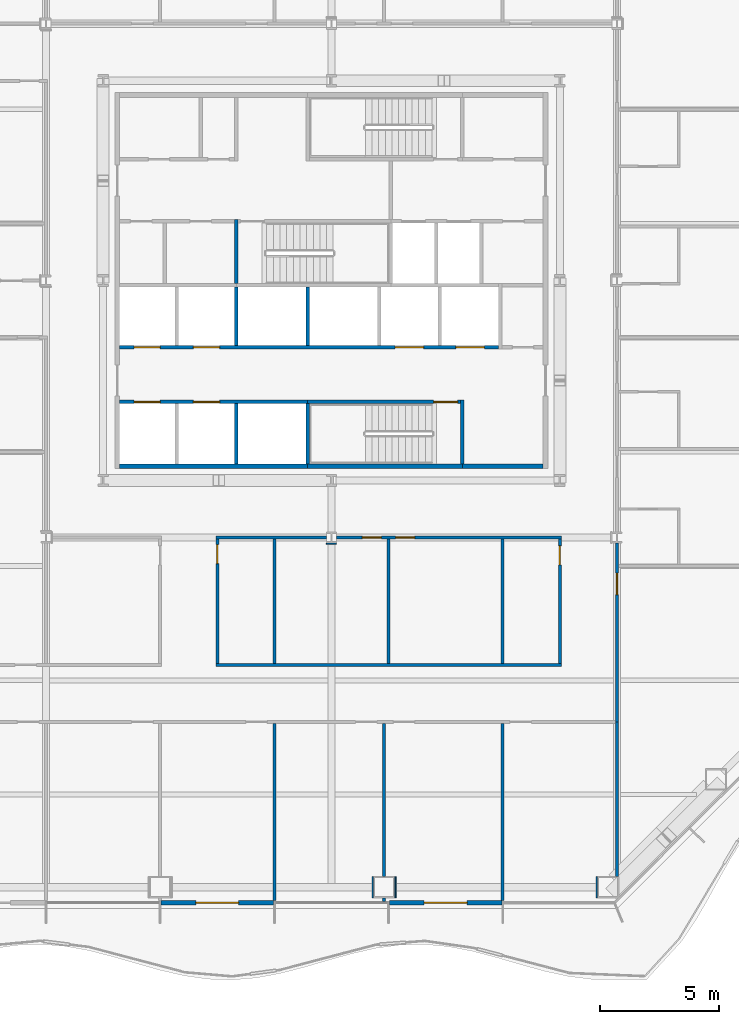
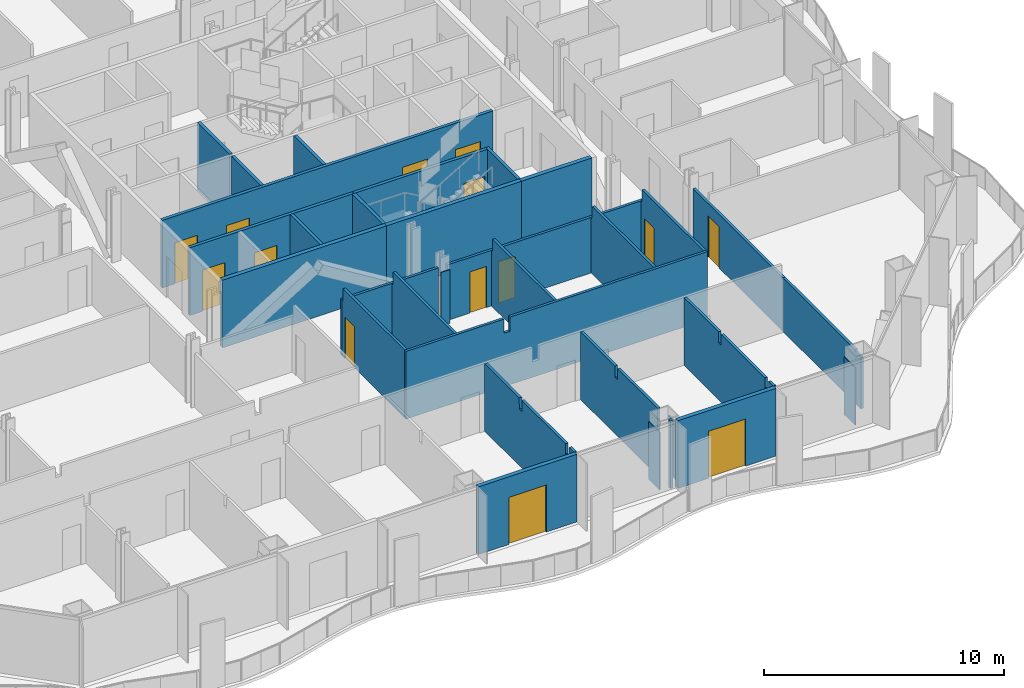
# One storey, part 9 of 21: 32 walls, 14 doors, 14 openings.
"""IFC4 building model written with IfcOpenShell, lengths in metres."""

from ifc_helpers import new_model, si_unit, direction, frame, frame_2d, origin, place, context, subcontext, project, spatial, polyline, rectangle, outline, extrude, material, layer, layer_set, type_object, element, fill, save


model = new_model("IFC4")

# Units and contexts
model_context = context("Model", 3, precision=1e-05, world=origin(), true_north=direction((0.0, 1.0)))
body_context = subcontext(model_context, "Body", "Model", "MODEL_VIEW")
ifc_project = project(units=[si_unit("LENGTHUNIT", "METRE"), si_unit("AREAUNIT", "SQUARE_METRE"), si_unit("VOLUMEUNIT", "CUBIC_METRE"), si_unit("PLANEANGLEUNIT", "RADIAN"), si_unit("MASSUNIT", "GRAM", prefix="KILO")], contexts=[model_context])

# Site, building, storey
site_placement = place(None, origin())
site = spatial("IfcSite", under=ifc_project, at=site_placement, CompositionType="ELEMENT")
building_placement = place(site_placement, origin())
building = spatial("IfcBuilding", under=site, at=building_placement, Name="Cairn Pilgrim Tower", CompositionType="ELEMENT")
storey_placement = place(building_placement, frame((0.0, 0.0, 69.0)))
storey = spatial("IfcBuildingStorey", under=building, at=storey_placement, Name="L15", CompositionType="ELEMENT", Elevation=69.0)

# Wall, opening, door
ifc_material_1 = material(Name="Bronze anodised aluminium insulated sandwich panel with mineral wool fill", Category="aluminium")
ifc_layer_1 = layer(ifc_material_1, 0.199951171875)
ifc_layer_set_1 = layer_set([ifc_layer_1], Name="BRONZE INFILL FRAME WALL 200")
wall_type_1 = type_object("IfcWallType", Name="BRONZE INFILL FRAME WALL 200", PredefinedType="NOTDEFINED", material=ifc_layer_set_1)
wall_1_placement = place(storey_placement, frame((0.030029296875, -23.75, 0.0), z_axis=(0.0, 0.0, 1.0), x_axis=(1.0, 0.0, 0.0)))
wall_1 = element("IfcWall", 1, at=wall_1_placement, inside=storey, type_object=wall_type_1, Name="Bronze infill frame wall IW-S5", PredefinedType="NOTDEFINED", context=body_context, shape_type="SweptSolid", body=[
    extrude(rectangle(XDim=4.739990234375, YDim=0.199951171875, at=frame_2d((2.3701171875, 0.0))), origin(), (0.0, 0.0, 1.0), 3.449951171875),
])
opening_1_placement = place(wall_1_placement, frame((1.469970703125, 0.0, 0.0)))
opening_1 = element("IfcOpeningElement", 2, at=opening_1_placement, cuts=wall_1, Name="Opening 1505B", PredefinedType="OPENING", context=body_context, shape_type="SweptSolid", body=[
    extrude(rectangle(XDim=1.800048828125, YDim=2.39990234375, at=frame_2d((0.89990234375, 1.199951171875))), frame((0.0, 0.10986328125, 0.0), z_axis=(0.0, -1.0, 0.0), x_axis=(1.0, 0.0, 0.0)), (0.0, 0.0, 1.0), 0.219970703125),
])
ifc_material_2 = material(Name="Bronze anodised aluminium frame with tinted low-E glass", Category="aluminium")
door_type_1 = type_object("IfcDoorType", Name="BALCONY SLIDING DOOR 1800x2400", OperationType="DOUBLE_DOOR_SLIDING", PredefinedType="DOOR", material=ifc_material_2)
door_1_placement = place(opening_1_placement, origin())
door_1 = element("IfcDoor", 3, at=door_1_placement, inside=storey, type_object=door_type_1, Name="Balcony sliding door 1505B", OperationType="SINGLE_SWING_LEFT", OverallHeight=2.39990234375, OverallWidth=1.800048828125, PredefinedType="DOOR", context=body_context, shape_type="SweptSolid", body=[
    extrude(rectangle(XDim=1.800048828125, YDim=2.39990234375, at=frame_2d((0.89990234375, 1.199951171875))), frame((0.0, 0.02490234375, 0.0), z_axis=(0.0, -1.0, 0.0), x_axis=(1.0, 0.0, 0.0)), (0.0, 0.0, 1.0), 0.050048828125),
])
fill(opening_1, door_1)

wall_2_placement = place(storey_placement, frame((9.6298828125, -23.75, 0.0), z_axis=(0.0, 0.0, 1.0), x_axis=(1.0, 0.0, 0.0)))
wall_2 = element("IfcWall", 4, at=wall_2_placement, inside=storey, type_object=wall_type_1, Name="Bronze infill frame wall IW-S7", PredefinedType="NOTDEFINED", context=body_context, shape_type="SweptSolid", body=[
    extrude(rectangle(XDim=4.740234375, YDim=0.199951171875, at=frame_2d((2.3701171875, 0.0))), origin(), (0.0, 0.0, 1.0), 3.449951171875),
])
opening_2_placement = place(wall_2_placement, frame((1.469970703125, 0.0, 0.0)))
opening_2 = element("IfcOpeningElement", 5, at=opening_2_placement, cuts=wall_2, Name="Opening 1507B", PredefinedType="OPENING", context=body_context, shape_type="SweptSolid", body=[
    extrude(rectangle(XDim=1.800048828125, YDim=2.39990234375, at=frame_2d((0.89990234375, 1.199951171875))), frame((0.0, 0.10986328125, 0.0), z_axis=(0.0, -1.0, 0.0), x_axis=(1.0, 0.0, 0.0)), (0.0, 0.0, 1.0), 0.219970703125),
])
door_2_placement = place(opening_2_placement, origin())
door_2 = element("IfcDoor", 6, at=door_2_placement, inside=storey, type_object=door_type_1, Name="Balcony sliding door 1507B", OperationType="SINGLE_SWING_LEFT", OverallHeight=2.39990234375, OverallWidth=1.800048828125, PredefinedType="DOOR", context=body_context, shape_type="SweptSolid", body=[
    extrude(rectangle(XDim=1.800048828125, YDim=2.39990234375, at=frame_2d((0.89990234375, 1.199951171875))), frame((0.0, 0.02490234375, 0.0), z_axis=(0.0, -1.0, 0.0), x_axis=(1.0, 0.0, 0.0)), (0.0, 0.0, 1.0), 0.050048828125),
])
fill(opening_2, door_2)

# Walls
ifc_material_3 = material(Name="Concrete C32/40", Category="concrete")
ifc_layer_2 = layer(ifc_material_3, 0.199951171875)
ifc_layer_set_2 = layer_set([ifc_layer_2], Name="CORE OUTER WALL 200 EI 120")
wall_type_2 = type_object("IfcWallType", Name="CORE OUTER WALL 200 EI 120", PredefinedType="SOLIDWALL", material=ifc_layer_set_2)
wall_3_placement = place(storey_placement, frame((-1.699951171875, -5.39990234375, 0.0), z_axis=(0.0, 0.0, 1.0), x_axis=(1.0, 0.0, 0.0)))
element("IfcWall", 7, at=wall_3_placement, inside=storey, type_object=wall_type_2, Name="CW:L15:H01-1", PredefinedType="SOLIDWALL", context=body_context, shape_type="SweptSolid", body=[
    extrude(rectangle(XDim=7.89990234375, YDim=0.199951171875, at=frame_2d((3.949951171875, 0.0))), origin(), (0.0, 0.0, 1.0), 3.449951171875),
])
wall_4_placement = place(storey_placement, frame((12.699951171875, -5.39990234375, 0.0), z_axis=(0.0, 0.0, 1.0), x_axis=(1.0, 0.0, 0.0)))
element("IfcWall", 8, at=wall_4_placement, inside=storey, type_object=wall_type_2, Name="CW:L15:H01-3", PredefinedType="SOLIDWALL", context=body_context, shape_type="SweptSolid", body=[
    extrude(rectangle(XDim=3.400146484375, YDim=0.199951171875, at=frame_2d((1.7001953125, 0.0))), origin(), (0.0, 0.0, 1.0), 3.449951171875),
])

# Wall, openings, doors
ifc_layer_3 = layer(ifc_material_3, 0.14990234375)
ifc_layer_set_3 = layer_set([ifc_layer_3], Name="CORE SHAFT WALL 150 EI 120")
wall_type_3 = type_object("IfcWallType", Name="CORE SHAFT WALL 150 EI 120", PredefinedType="SOLIDWALL", material=ifc_layer_set_3)
wall_5_placement = place(storey_placement, frame((-1.699951171875, -2.699951171875, 0.0), z_axis=(0.0, 0.0, 1.0), x_axis=(1.0, 0.0, 0.0)))
wall_5 = element("IfcWall", 9, at=wall_5_placement, inside=storey, type_object=wall_type_3, Name="CW:L15:H02-1", PredefinedType="SOLIDWALL", context=body_context, shape_type="SweptSolid", body=[
    extrude(rectangle(XDim=7.89990234375, YDim=0.14990234375, at=frame_2d((3.949951171875, 0.0))), origin(), (0.0, 0.0, 1.0), 3.449951171875),
])
opening_3_placement = place(wall_5_placement, frame((0.60009765625, 0.0, 0.0)))
opening_3 = element("IfcOpeningElement", 10, at=opening_3_placement, cuts=wall_5, Name="Opening LD-LR1", PredefinedType="OPENING", context=body_context, shape_type="SweptSolid", body=[
    extrude(rectangle(XDim=1.10009765625, YDim=2.10009765625, at=frame_2d((0.550048828125, 1.050048828125))), frame((0.0, 0.0849609375, 0.0), z_axis=(0.0, -1.0, 0.0), x_axis=(1.0, 0.0, 0.0)), (0.0, 0.0, 1.0), 0.169921875),
])
opening_4_placement = place(wall_5_placement, frame((3.10009765625, 0.0, 0.0)))
opening_4 = element("IfcOpeningElement", 11, at=opening_4_placement, cuts=wall_5, Name="Opening LD-LR2", PredefinedType="OPENING", context=body_context, shape_type="SweptSolid", body=[
    extrude(rectangle(XDim=1.10009765625, YDim=2.10009765625, at=frame_2d((0.550048828125, 1.050048828125))), frame((0.0, 0.0849609375, 0.0), z_axis=(0.0, -1.0, 0.0), x_axis=(1.0, 0.0, 0.0)), (0.0, 0.0, 1.0), 0.169921875),
])
ifc_material_4 = material(Name="Stainless steel", Category="steel")
door_type_2 = type_object("IfcDoorType", Name="LIFT LANDING DOOR 1100x2100", OperationType="DOUBLE_DOOR_SLIDING", PredefinedType="DOOR", material=ifc_material_4)
door_3_placement = place(opening_3_placement, origin())
door_3 = element("IfcDoor", 12, at=door_3_placement, inside=storey, type_object=door_type_2, Name="LANDING DOOR LR1", OperationType="DOUBLE_DOOR_SLIDING", OverallHeight=2.10009765625, OverallWidth=1.10009765625, PredefinedType="DOOR", context=body_context, shape_type="SweptSolid", body=[
    extrude(rectangle(XDim=1.10009765625, YDim=2.10009765625, at=frame_2d((0.550048828125, 1.050048828125))), frame((0.0, 0.02490234375, 0.0), z_axis=(0.0, -1.0, 0.0), x_axis=(1.0, 0.0, 0.0)), (0.0, 0.0, 1.0), 0.050048828125),
])
fill(opening_3, door_3)
door_4_placement = place(opening_4_placement, origin())
door_4 = element("IfcDoor", 13, at=door_4_placement, inside=storey, type_object=door_type_2, Name="LANDING DOOR LR2", OperationType="DOUBLE_DOOR_SLIDING", OverallHeight=2.10009765625, OverallWidth=1.10009765625, PredefinedType="DOOR", context=body_context, shape_type="SweptSolid", body=[
    extrude(rectangle(XDim=1.10009765625, YDim=2.10009765625, at=frame_2d((0.550048828125, 1.050048828125))), frame((0.0, 0.02490234375, 0.0), z_axis=(0.0, -1.0, 0.0), x_axis=(1.0, 0.0, 0.0)), (0.0, 0.0, 1.0), 0.050048828125),
])
fill(opening_4, door_4)

wall_6_placement = place(storey_placement, frame((-1.699951171875, -0.39990234375, 0.0), z_axis=(0.0, 0.0, 1.0), x_axis=(1.0, 0.0, 0.0)))
wall_6 = element("IfcWall", 14, at=wall_6_placement, inside=storey, type_object=wall_type_3, Name="CW:L15:H03", PredefinedType="SOLIDWALL", context=body_context, shape_type="SweptSolid", body=[
    extrude(rectangle(XDim=15.925048828125, YDim=0.14990234375, at=frame_2d((7.96240234375, 0.0))), origin(), (0.0, 0.0, 1.0), 3.449951171875),
])
opening_5_placement = place(wall_6_placement, frame((0.60009765625, 0.0, 0.0)))
opening_5 = element("IfcOpeningElement", 15, at=opening_5_placement, cuts=wall_6, Name="Opening LD-LR3", PredefinedType="OPENING", context=body_context, shape_type="SweptSolid", body=[
    extrude(rectangle(XDim=1.10009765625, YDim=2.10009765625, at=frame_2d((0.550048828125, 1.050048828125))), frame((0.0, 0.0849609375, 0.0), z_axis=(0.0, -1.0, 0.0), x_axis=(1.0, 0.0, 0.0)), (0.0, 0.0, 1.0), 0.169921875),
])
opening_6_placement = place(wall_6_placement, frame((3.10009765625, 0.0, 0.0)))
opening_6 = element("IfcOpeningElement", 16, at=opening_6_placement, cuts=wall_6, Name="Opening LD-LR4", PredefinedType="OPENING", context=body_context, shape_type="SweptSolid", body=[
    extrude(rectangle(XDim=1.10009765625, YDim=2.10009765625, at=frame_2d((0.550048828125, 1.050048828125))), frame((0.0, 0.0849609375, 0.0), z_axis=(0.0, -1.0, 0.0), x_axis=(1.0, 0.0, 0.0)), (0.0, 0.0, 1.0), 0.169921875),
])
opening_7_placement = place(wall_6_placement, frame((11.574951171875, 0.0, 0.0)))
opening_7 = element("IfcOpeningElement", 17, at=opening_7_placement, cuts=wall_6, Name="Opening LD-SV1", PredefinedType="OPENING", context=body_context, shape_type="SweptSolid", body=[
    extrude(rectangle(XDim=1.199951171875, YDim=2.10009765625, at=frame_2d((0.60009765625, 1.050048828125))), frame((0.0, 0.0849609375, 0.0), z_axis=(0.0, -1.0, 0.0), x_axis=(1.0, 0.0, 0.0)), (0.0, 0.0, 1.0), 0.169921875),
])
opening_8_placement = place(wall_6_placement, frame((14.125, 0.0, 0.0)))
opening_8 = element("IfcOpeningElement", 18, at=opening_8_placement, cuts=wall_6, Name="Opening LD-SV2", PredefinedType="OPENING", context=body_context, shape_type="SweptSolid", body=[
    extrude(rectangle(XDim=1.199951171875, YDim=2.10009765625, at=frame_2d((0.60009765625, 1.050048828125))), frame((0.0, 0.0849609375, 0.0), z_axis=(0.0, -1.0, 0.0), x_axis=(1.0, 0.0, 0.0)), (0.0, 0.0, 1.0), 0.169921875),
])
door_5_placement = place(opening_5_placement, origin())
door_5 = element("IfcDoor", 19, at=door_5_placement, inside=storey, type_object=door_type_2, Name="LANDING DOOR LR3", OperationType="DOUBLE_DOOR_SLIDING", OverallHeight=2.10009765625, OverallWidth=1.10009765625, PredefinedType="DOOR", context=body_context, shape_type="SweptSolid", body=[
    extrude(rectangle(XDim=1.10009765625, YDim=2.10009765625, at=frame_2d((0.550048828125, 1.050048828125))), frame((0.0, 0.02490234375, 0.0), z_axis=(0.0, -1.0, 0.0), x_axis=(1.0, 0.0, 0.0)), (0.0, 0.0, 1.0), 0.050048828125),
])
fill(opening_5, door_5)
door_6_placement = place(opening_6_placement, origin())
door_6 = element("IfcDoor", 20, at=door_6_placement, inside=storey, type_object=door_type_2, Name="LANDING DOOR LR4", OperationType="DOUBLE_DOOR_SLIDING", OverallHeight=2.10009765625, OverallWidth=1.10009765625, PredefinedType="DOOR", context=body_context, shape_type="SweptSolid", body=[
    extrude(rectangle(XDim=1.10009765625, YDim=2.10009765625, at=frame_2d((0.550048828125, 1.050048828125))), frame((0.0, 0.02490234375, 0.0), z_axis=(0.0, -1.0, 0.0), x_axis=(1.0, 0.0, 0.0)), (0.0, 0.0, 1.0), 0.050048828125),
])
fill(opening_6, door_6)
door_type_3 = type_object("IfcDoorType", Name="LIFT LANDING DOOR 1200x2100", OperationType="DOUBLE_DOOR_SLIDING", PredefinedType="DOOR", material=ifc_material_4)
door_7_placement = place(opening_7_placement, origin())
door_7 = element("IfcDoor", 21, at=door_7_placement, inside=storey, type_object=door_type_3, Name="LANDING DOOR SV1", OperationType="DOUBLE_DOOR_SLIDING", OverallHeight=2.10009765625, OverallWidth=1.199951171875, PredefinedType="DOOR", context=body_context, shape_type="SweptSolid", body=[
    extrude(rectangle(XDim=1.199951171875, YDim=2.10009765625, at=frame_2d((0.60009765625, 1.050048828125))), frame((0.0, 0.02490234375, 0.0), z_axis=(0.0, -1.0, 0.0), x_axis=(1.0, 0.0, 0.0)), (0.0, 0.0, 1.0), 0.050048828125),
])
fill(opening_7, door_7)
door_8_placement = place(opening_8_placement, origin())
door_8 = element("IfcDoor", 22, at=door_8_placement, inside=storey, type_object=door_type_3, Name="LANDING DOOR SV2", OperationType="DOUBLE_DOOR_SLIDING", OverallHeight=2.10009765625, OverallWidth=1.199951171875, PredefinedType="DOOR", context=body_context, shape_type="SweptSolid", body=[
    extrude(rectangle(XDim=1.199951171875, YDim=2.10009765625, at=frame_2d((0.60009765625, 1.050048828125))), frame((0.0, 0.02490234375, 0.0), z_axis=(0.0, -1.0, 0.0), x_axis=(1.0, 0.0, 0.0)), (0.0, 0.0, 1.0), 0.050048828125),
])
fill(opening_8, door_8)

# Walls
wall_7_placement = place(storey_placement, frame((3.199951171875, -5.300048828125, 0.0), z_axis=(0.0, 0.0, 1.0), x_axis=(0.0, 1.0, 0.0)))
element("IfcWall", 23, at=wall_7_placement, inside=storey, type_object=wall_type_3, Name="CW:L15:V17", PredefinedType="SOLIDWALL", context=body_context, shape_type="SweptSolid", body=[
    extrude(rectangle(XDim=2.525146484375, YDim=0.14990234375, at=frame_2d((1.2626953125, 0.0))), origin(), (0.0, 0.0, 1.0), 3.449951171875),
])
for number, where, z_axis, x_axis, name in (
    (24, (3.199951171875, -0.324951171875, 0.0), (0.0, 0.0, 1.0), (0.0, 1.0, 0.0), "CW:L15:V18"),
    (25, (6.199951171875, -0.324951171875, 0.0), (0.0, 0.0, 1.0), (0.0, 1.0, 0.0), "CW:L15:V22"),
):
    element("IfcWall", number, at=place(storey_placement, frame(where, z_axis=z_axis, x_axis=x_axis)), inside=storey, type_object=wall_type_3, Name=name, PredefinedType="SOLIDWALL", context=body_context, shape_type="SweptSolid", body=[
        extrude(rectangle(XDim=2.449951171875, YDim=0.14990234375, at=frame_2d((1.22509765625, 0.0))), origin(), (0.0, 0.0, 1.0), 3.449951171875),
    ])
ifc_material_5 = material(Name="Gypsum partition")
ifc_layer_4 = layer(ifc_material_5, 0.125)
ifc_layer_set_4 = layer_set([ifc_layer_4], Name="PARTITION 125 DRYWALL EI 60")
wall_type_4 = type_object("IfcWallType", Name="PARTITION 125 DRYWALL EI 60", PredefinedType="PARTITIONING", material=ifc_layer_set_4)
wall_8_placement = place(storey_placement, frame((4.800048828125, -23.64990234375, 0.0), z_axis=(0.0, 0.0, 1.0), x_axis=(0.0, 1.0, 0.0)))
element("IfcWall", 26, at=wall_8_placement, inside=storey, type_object=wall_type_4, Name="PARTITION W004", PredefinedType="PARTITIONING", context=body_context, shape_type="SweptSolid", body=[
    extrude(outline(polyline([(0.0, 0.0), (7.4375, 0.0), (7.4375, 3.449951171875), (4.554931640625, 3.449951171875), (4.552978515625, 2.8798828125), (4.344970703125, 2.8798828125), (4.343017578125, 3.449951171875), (0.699951171875, 3.449951171875), (0.697998046875, 2.929931640625), (0.39990234375, 2.929931640625), (0.39794921875, 3.449951171875), (0.0, 3.449951171875), (0.0, 0.0)])), frame((0.0, 0.0625, 0.0), z_axis=(0.0, -1.0, 0.0), x_axis=(1.0, 0.0, 0.0)), (0.0, 0.0, 1.0), 0.125),
])
wall_9_placement = place(storey_placement, frame((9.4140625, -23.702880859375, 0.0), z_axis=(0.0, 0.0, 1.0), x_axis=(0.0, 1.0, 0.0)))
element("IfcWall", 27, at=wall_9_placement, inside=storey, type_object=wall_type_4, Name="PARTITION W005", PredefinedType="PARTITIONING", context=body_context, shape_type="SweptSolid", body=[
    extrude(rectangle(XDim=0.15283203125, YDim=0.125, at=frame_2d((0.076416015625, 0.0))), origin(), (0.0, 0.0, 1.0), 3.449951171875),
])
wall_10_placement = place(storey_placement, frame((14.39990234375, -23.64990234375, 0.0), z_axis=(0.0, 0.0, 1.0), x_axis=(0.0, 1.0, 0.0)))
element("IfcWall", 28, at=wall_10_placement, inside=storey, type_object=wall_type_4, Name="PARTITION W006", PredefinedType="PARTITIONING", context=body_context, shape_type="SweptSolid", body=[
    extrude(outline(polyline([(0.0, 0.0), (7.4375, 0.0), (7.4375, 3.449951171875), (4.554931640625, 3.449951171875), (4.552978515625, 2.8798828125), (4.344970703125, 2.8798828125), (4.343017578125, 3.449951171875), (0.699951171875, 3.449951171875), (0.697998046875, 2.929931640625), (0.39990234375, 2.929931640625), (0.39794921875, 3.449951171875), (0.0, 3.449951171875), (0.0, 0.0)])), frame((0.0, 0.0625, 0.0), z_axis=(0.0, -1.0, 0.0), x_axis=(1.0, 0.0, 0.0)), (0.0, 0.0, 1.0), 0.125),
])
wall_11_placement = place(storey_placement, frame((9.4140625, -22.64990234375, 0.0), z_axis=(0.0, 0.0, 1.0), x_axis=(0.0, 1.0, 0.0)))
element("IfcWall", 29, at=wall_11_placement, inside=storey, type_object=wall_type_4, Name="PARTITION W009", PredefinedType="PARTITIONING", context=body_context, shape_type="SweptSolid", body=[
    extrude(outline(polyline([(0.0, 0.0), (6.4375, 0.0), (6.4375, 3.449951171875), (3.554931640625, 3.449951171875), (3.552978515625, 2.8798828125), (3.344970703125, 2.8798828125), (3.343017578125, 3.449951171875), (0.0, 3.449951171875), (0.0, 0.0)])), frame((0.0, 0.0625, 0.0), z_axis=(0.0, -1.0, 0.0), x_axis=(1.0, 0.0, 0.0)), (0.0, 0.0, 1.0), 0.125),
])
wall_12_placement = place(storey_placement, frame((19.199951171875, -22.64990234375, 0.0), z_axis=(0.0, 0.0, 1.0), x_axis=(0.0, 1.0, 0.0)))
element("IfcWall", 30, at=wall_12_placement, inside=storey, type_object=wall_type_4, Name="PARTITION W010", PredefinedType="PARTITIONING", context=body_context, shape_type="SweptSolid", body=[
    extrude(outline(polyline([(0.0, 0.0), (6.5, 0.0), (6.5, 2.72998046875), (0.480224609375, 2.72998046875), (0.478271484375, 2.6298828125), (0.0, 2.6298828125), (0.0, 0.0)])), frame((0.0, 0.0625, 0.0), z_axis=(0.0, -1.0, 0.0), x_axis=(1.0, 0.0, 0.0)), (0.0, 0.0, 1.0), 0.125),
])

# Wall, opening, door
wall_13_placement = place(storey_placement, frame((19.199951171875, -16.14990234375, 0.0), z_axis=(0.0, 0.0, 1.0), x_axis=(0.0, 1.0, 0.0)))
wall_13 = element("IfcWall", 31, at=wall_13_placement, inside=storey, type_object=wall_type_4, Name="PARTITION W015", PredefinedType="PARTITIONING", context=body_context, shape_type="SweptSolid", body=[
    extrude(rectangle(XDim=7.512939453125, YDim=0.125, at=frame_2d((3.75634765625, 0.0))), origin(), (0.0, 0.0, 1.0), 2.72998046875),
])
opening_9_placement = place(wall_13_placement, frame((5.35009765625, 0.0, 0.0)))
opening_9 = element("IfcOpeningElement", 32, at=opening_9_placement, cuts=wall_13, Name="Opening 1523", PredefinedType="OPENING", context=body_context, shape_type="SweptSolid", body=[
    extrude(rectangle(XDim=0.89990234375, YDim=2.10009765625, at=frame_2d((0.449951171875, 1.050048828125))), frame((0.0, 0.072509765625, 0.0), z_axis=(0.0, -1.0, 0.0), x_axis=(1.0, 0.0, 0.0)), (0.0, 0.0, 1.0), 0.14501953125),
])
ifc_material_6 = material(Name="Steel-faced fire door leaf", Category="steel")
door_type_4 = type_object("IfcDoorType", Name="FIRE DOOR 900x2100 FD30S", OperationType="NOTDEFINED", PredefinedType="DOOR", material=ifc_material_6)
door_9_placement = place(opening_9_placement, frame((0.89990234375, 0.0, 0.0), z_axis=(0.0, 0.0, 1.0), x_axis=(-1.0, 0.0, 0.0)))
door_9 = element("IfcDoor", 33, at=door_9_placement, inside=storey, type_object=door_type_4, Name="DOOR 1523", OperationType="SINGLE_SWING_RIGHT", OverallHeight=2.10009765625, OverallWidth=0.89990234375, PredefinedType="DOOR", context=body_context, shape_type="SweptSolid", body=[
    extrude(rectangle(XDim=0.89990234375, YDim=2.10009765625, at=frame_2d((0.449951171875, 1.050048828125))), frame((0.0, 0.02490234375, 0.0), z_axis=(0.0, -1.0, 0.0), x_axis=(1.0, 0.0, 0.0)), (0.0, 0.0, 1.0), 0.050048828125),
])
fill(opening_9, door_9)

# Wall
wall_14_placement = place(storey_placement, frame((2.33740234375, -13.75, 0.0), z_axis=(0.0, 0.0, 1.0), x_axis=(1.0, 0.0, 0.0)))
element("IfcWall", 34, at=wall_14_placement, inside=storey, type_object=wall_type_4, Name="PARTITION W017", PredefinedType="PARTITIONING", context=body_context, shape_type="SweptSolid", body=[
    extrude(outline(polyline([(0.0, 0.0), (14.525146484375, 0.0), (14.52490234375, 3.449951171875), (5.012451171875, 3.449951171875), (5.010498046875, 2.72998046875), (4.71240234375, 2.72998046875), (4.71044921875, 3.449951171875), (0.0, 3.449951171875), (0.0, 0.0)])), frame((0.0, 0.0625, 0.0), z_axis=(0.0, -1.0, 0.0), x_axis=(1.0, 0.0, 0.0)), (0.0, 0.0, 1.0), 0.125),
])

# Wall, opening, door
wall_15_placement = place(storey_placement, frame((2.39990234375, -13.6875, 0.0), z_axis=(0.0, 0.0, 1.0), x_axis=(0.0, 1.0, 0.0)))
wall_15 = element("IfcWall", 35, at=wall_15_placement, inside=storey, type_object=wall_type_4, Name="PARTITION W022", PredefinedType="PARTITIONING", context=body_context, shape_type="SweptSolid", body=[
    extrude(outline(polyline([(0.0, 0.0), (5.22509765625, 0.0), (5.22509765625, 2.830078125), (5.137451171875, 2.830078125), (5.135498046875, 3.449951171875), (0.0, 3.449951171875), (0.0, 0.0)])), frame((0.0, 0.0625, 0.0), z_axis=(0.0, -1.0, 0.0), x_axis=(1.0, 0.0, 0.0)), (0.0, 0.0, 1.0), 0.125),
])
opening_10_placement = place(wall_15_placement, frame((4.1875, 0.0, 0.0)))
opening_10 = element("IfcOpeningElement", 36, at=opening_10_placement, cuts=wall_15, Name="Opening 1536", PredefinedType="OPENING", context=body_context, shape_type="SweptSolid", body=[
    extrude(rectangle(XDim=0.800048828125, YDim=2.10009765625, at=frame_2d((0.39990234375, 1.050048828125))), frame((0.0, 0.072509765625, 0.0), z_axis=(0.0, -1.0, 0.0), x_axis=(1.0, 0.0, 0.0)), (0.0, 0.0, 1.0), 0.14501953125),
])
door_type_5 = type_object("IfcDoorType", Name="FIRE DOOR 800x2100 FD30S", OperationType="NOTDEFINED", PredefinedType="DOOR", material=ifc_material_6)
door_10_placement = place(opening_10_placement, frame((0.800048828125, 0.0, 0.0), z_axis=(0.0, 0.0, 1.0), x_axis=(-1.0, 0.0, 0.0)))
door_10 = element("IfcDoor", 37, at=door_10_placement, inside=storey, type_object=door_type_5, Name="DOOR 1536", OperationType="SINGLE_SWING_LEFT", OverallHeight=2.10009765625, OverallWidth=0.800048828125, PredefinedType="DOOR", context=body_context, shape_type="SweptSolid", body=[
    extrude(rectangle(XDim=0.800048828125, YDim=2.10009765625, at=frame_2d((0.39990234375, 1.050048828125))), frame((0.0, 0.02490234375, 0.0), z_axis=(0.0, -1.0, 0.0), x_axis=(1.0, 0.0, 0.0)), (0.0, 0.0, 1.0), 0.050048828125),
])
fill(opening_10, door_10)

# Walls
for number, where, z_axis, x_axis, name in (
    (38, (4.800048828125, -13.6875, 0.0), (0.0, 0.0, 1.0), (0.0, 1.0, 0.0), "PARTITION W023"),
    (39, (9.60009765625, -13.6875, 0.0), (0.0, 0.0, 1.0), (0.0, 1.0, 0.0), "PARTITION W024"),
    (40, (14.39990234375, -13.6875, 0.0), (0.0, 0.0, 1.0), (0.0, 1.0, 0.0), "PARTITION W025"),
):
    element("IfcWall", number, at=place(storey_placement, frame(where, z_axis=z_axis, x_axis=x_axis)), inside=storey, type_object=wall_type_4, Name=name, PredefinedType="PARTITIONING", context=body_context, shape_type="SweptSolid", body=[
        extrude(outline(polyline([(0.0, 0.0), (5.22509765625, 0.0), (5.22509765625, 2.830078125), (5.137451171875, 2.830078125), (5.135498046875, 3.449951171875), (0.0, 3.449951171875), (0.0, 0.0)])), frame((0.0, 0.0625, 0.0), z_axis=(0.0, -1.0, 0.0), x_axis=(1.0, 0.0, 0.0)), (0.0, 0.0, 1.0), 0.125),
    ])

# Wall, opening, door
wall_16_placement = place(storey_placement, frame((16.800048828125, -13.6875, 0.0), z_axis=(0.0, 0.0, 1.0), x_axis=(0.0, 1.0, 0.0)))
wall_16 = element("IfcWall", 41, at=wall_16_placement, inside=storey, type_object=wall_type_4, Name="PARTITION W026", PredefinedType="PARTITIONING", context=body_context, shape_type="SweptSolid", body=[
    extrude(outline(polyline([(0.0, 0.0), (5.22509765625, 0.0), (5.22509765625, 2.830078125), (5.137451171875, 2.830078125), (5.135498046875, 3.449951171875), (0.0, 3.449951171875), (0.0, 0.0)])), frame((0.0, 0.0625, 0.0), z_axis=(0.0, -1.0, 0.0), x_axis=(1.0, 0.0, 0.0)), (0.0, 0.0, 1.0), 0.125),
])
opening_11_placement = place(wall_16_placement, frame((4.137451171875, 0.0, 0.0)))
opening_11 = element("IfcOpeningElement", 42, at=opening_11_placement, cuts=wall_16, Name="Opening 1539", PredefinedType="OPENING", context=body_context, shape_type="SweptSolid", body=[
    extrude(rectangle(XDim=0.800048828125, YDim=2.10009765625, at=frame_2d((0.39990234375, 1.050048828125))), frame((0.0, 0.072509765625, 0.0), z_axis=(0.0, -1.0, 0.0), x_axis=(1.0, 0.0, 0.0)), (0.0, 0.0, 1.0), 0.14501953125),
])
door_11_placement = place(opening_11_placement, origin())
door_11 = element("IfcDoor", 43, at=door_11_placement, inside=storey, type_object=door_type_5, Name="DOOR 1539", OperationType="SINGLE_SWING_RIGHT", OverallHeight=2.10009765625, OverallWidth=0.800048828125, PredefinedType="DOOR", context=body_context, shape_type="SweptSolid", body=[
    extrude(rectangle(XDim=0.800048828125, YDim=2.10009765625, at=frame_2d((0.39990234375, 1.050048828125))), frame((0.0, 0.02490234375, 0.0), z_axis=(0.0, -1.0, 0.0), x_axis=(1.0, 0.0, 0.0)), (0.0, 0.0, 1.0), 0.050048828125),
])
fill(opening_11, door_11)

# Wall
wall_17_placement = place(storey_placement, frame((2.33740234375, -8.39990234375, 0.0), z_axis=(0.0, 0.0, 1.0), x_axis=(1.0, 0.0, 0.0)))
element("IfcWall", 44, at=wall_17_placement, inside=storey, type_object=wall_type_4, Name="PARTITION W031", PredefinedType="PARTITIONING", context=body_context, shape_type="SweptSolid", body=[
    extrude(rectangle(XDim=4.650634765625, YDim=0.125, at=frame_2d((2.3251953125, 0.0))), origin(), (0.0, 0.0, 1.0), 2.830078125),
])

# Wall, openings, doors
wall_18_placement = place(storey_placement, frame((7.412109375, -8.39990234375, 0.0), z_axis=(0.0, 0.0, 1.0), x_axis=(1.0, 0.0, 0.0)))
wall_18 = element("IfcWall", 45, at=wall_18_placement, inside=storey, type_object=wall_type_4, Name="PARTITION W032", PredefinedType="PARTITIONING", context=body_context, shape_type="SweptSolid", body=[
    extrude(rectangle(XDim=9.450439453125, YDim=0.125, at=frame_2d((4.72509765625, 0.0))), origin(), (0.0, 0.0, 1.0), 2.830078125),
])
opening_12_placement = place(wall_18_placement, frame((1.087890625, 0.0, 0.0)))
opening_12 = element("IfcOpeningElement", 46, at=opening_12_placement, cuts=wall_18, Name="Opening 1537", PredefinedType="OPENING", context=body_context, shape_type="SweptSolid", body=[
    extrude(rectangle(XDim=0.800048828125, YDim=2.10009765625, at=frame_2d((0.39990234375, 1.050048828125))), frame((0.0, 0.072509765625, 0.0), z_axis=(0.0, -1.0, 0.0), x_axis=(1.0, 0.0, 0.0)), (0.0, 0.0, 1.0), 0.14501953125),
])
opening_13_placement = place(wall_18_placement, frame((2.488037109375, 0.0, 0.0)))
opening_13 = element("IfcOpeningElement", 47, at=opening_13_placement, cuts=wall_18, Name="Opening 1538", PredefinedType="OPENING", context=body_context, shape_type="SweptSolid", body=[
    extrude(rectangle(XDim=0.800048828125, YDim=2.10009765625, at=frame_2d((0.39990234375, 1.050048828125))), frame((0.0, 0.072509765625, 0.0), z_axis=(0.0, -1.0, 0.0), x_axis=(1.0, 0.0, 0.0)), (0.0, 0.0, 1.0), 0.14501953125),
])
door_12_placement = place(opening_12_placement, frame((0.800048828125, 0.0, 0.0), z_axis=(0.0, 0.0, 1.0), x_axis=(-1.0, 0.0, 0.0)))
door_12 = element("IfcDoor", 48, at=door_12_placement, inside=storey, type_object=door_type_5, Name="DOOR 1537", OperationType="SINGLE_SWING_RIGHT", OverallHeight=2.10009765625, OverallWidth=0.800048828125, PredefinedType="DOOR", context=body_context, shape_type="SweptSolid", body=[
    extrude(rectangle(XDim=0.800048828125, YDim=2.10009765625, at=frame_2d((0.39990234375, 1.050048828125))), frame((0.0, 0.02490234375, 0.0), z_axis=(0.0, -1.0, 0.0), x_axis=(1.0, 0.0, 0.0)), (0.0, 0.0, 1.0), 0.050048828125),
])
fill(opening_12, door_12)
door_13_placement = place(opening_13_placement, frame((0.800048828125, 0.0, 0.0), z_axis=(0.0, 0.0, 1.0), x_axis=(-1.0, 0.0, 0.0)))
door_13 = element("IfcDoor", 49, at=door_13_placement, inside=storey, type_object=door_type_5, Name="DOOR 1538", OperationType="SINGLE_SWING_LEFT", OverallHeight=2.10009765625, OverallWidth=0.800048828125, PredefinedType="DOOR", context=body_context, shape_type="SweptSolid", body=[
    extrude(rectangle(XDim=0.800048828125, YDim=2.10009765625, at=frame_2d((0.39990234375, 1.050048828125))), frame((0.0, 0.02490234375, 0.0), z_axis=(0.0, -1.0, 0.0), x_axis=(1.0, 0.0, 0.0)), (0.0, 0.0, 1.0), 0.050048828125),
])
fill(opening_13, door_13)

# Walls
ifc_layer_5 = layer(ifc_material_5, 0.050048828125)
ifc_layer_set_5 = layer_set([ifc_layer_5], Name="PARTITION 50 DRYWALL EI 60")
wall_type_5 = type_object("IfcWallType", Name="PARTITION 50 DRYWALL EI 60", PredefinedType="PARTITIONING", material=ifc_layer_set_5)
for number, where, z_axis, x_axis, name in (
    (50, (8.938720703125, -23.550048828125, 0.0), (0.0, 0.0, 1.0), (0.0, 1.0, 0.0), "COLUMN CASING WC04"),
    (51, (9.888671875, -23.550048828125, 0.0), (0.0, 0.0, 1.0), (0.0, 1.0, 0.0), "COLUMN CASING WC05"),
    (52, (18.352294921875, -23.550048828125, 0.0), (0.0, 0.0, 1.0), (0.0, 1.0, 0.0), "COLUMN CASING WC08"),
):
    element("IfcWall", number, at=place(storey_placement, frame(where, z_axis=z_axis, x_axis=x_axis)), inside=storey, type_object=wall_type_5, Name=name, PredefinedType="PARTITIONING", context=body_context, shape_type="SweptSolid", body=[
        extrude(rectangle(XDim=0.900146484375, YDim=0.050048828125, at=frame_2d((0.4501953125, 0.0))), origin(), (0.0, 0.0, 1.0), 2.929931640625),
    ])
wall_19_placement = place(storey_placement, frame((6.988037109375, -8.662109375, 0.0), z_axis=(0.0, 0.0, 1.0), x_axis=(1.0, 0.0, 0.0)))
element("IfcWall", 53, at=wall_19_placement, inside=storey, type_object=wall_type_5, Name="COLUMN CASING WC16", PredefinedType="PARTITIONING", context=body_context, shape_type="SweptSolid", body=[
    extrude(rectangle(XDim=0.424072265625, YDim=0.050048828125, at=frame_2d((0.2119140625, 0.0))), origin(), (0.0, 0.0, 1.0), 2.72998046875),
])

# Wall, opening, door
ifc_material_7 = material(Name="Concrete C35/45", Category="concrete")
ifc_layer_6 = layer(ifc_material_7, 0.14990234375)
ifc_layer_set_6 = layer_set([ifc_layer_6], Name="STAIR SHAFT WALL 150 EI 120")
wall_type_6 = type_object("IfcWallType", Name="STAIR SHAFT WALL 150 EI 120", PredefinedType="SOLIDWALL", material=ifc_layer_set_6)
wall_20_placement = place(storey_placement, frame((6.199951171875, -2.699951171875, 0.0), z_axis=(0.0, 0.0, 1.0), x_axis=(1.0, 0.0, 0.0)))
wall_20 = element("IfcWall", 54, at=wall_20_placement, inside=storey, type_object=wall_type_6, Name="CW:L15:H02-2", PredefinedType="SOLIDWALL", context=body_context, shape_type="SweptSolid", body=[
    extrude(rectangle(XDim=6.425048828125, YDim=0.14990234375, at=frame_2d((3.21240234375, 0.0))), origin(), (0.0, 0.0, 1.0), 3.449951171875),
])
opening_14_placement = place(wall_20_placement, frame((5.300048828125, 0.0, 0.0)))
opening_14 = element("IfcOpeningElement", 55, at=opening_14_placement, cuts=wall_20, Name="Opening SD-A", PredefinedType="OPENING", context=body_context, shape_type="SweptSolid", body=[
    extrude(rectangle(XDim=1.0, YDim=2.10009765625, at=frame_2d((0.5, 1.050048828125))), frame((0.0, 0.0849609375, 0.0), z_axis=(0.0, -1.0, 0.0), x_axis=(1.0, 0.0, 0.0)), (0.0, 0.0, 1.0), 0.169921875),
])
ifc_material_8 = material(Name="Painted steel", Category="steel")
door_type_6 = type_object("IfcDoorType", Name="STAIR DOOR FD60S 1000x2100", OperationType="SINGLE_SWING_LEFT", PredefinedType="DOOR", material=ifc_material_8)
door_14_placement = place(opening_14_placement, origin())
door_14 = element("IfcDoor", 56, at=door_14_placement, inside=storey, type_object=door_type_6, Name="SD-A", OperationType="SINGLE_SWING_LEFT", OverallHeight=2.10009765625, OverallWidth=1.0, PredefinedType="DOOR", context=body_context, shape_type="SweptSolid", body=[
    extrude(rectangle(XDim=1.0, YDim=2.10009765625, at=frame_2d((0.5, 1.050048828125))), frame((0.0, 0.02490234375, 0.0), z_axis=(0.0, -1.0, 0.0), x_axis=(1.0, 0.0, 0.0)), (0.0, 0.0, 1.0), 0.050048828125),
])
fill(opening_14, door_14)

# Walls
wall_21_placement = place(storey_placement, frame((3.199951171875, 2.27490234375, 0.0), z_axis=(0.0, 0.0, 1.0), x_axis=(0.0, 1.0, 0.0)))
element("IfcWall", 57, at=wall_21_placement, inside=storey, type_object=wall_type_6, Name="CW:L15:V19", PredefinedType="SOLIDWALL", context=body_context, shape_type="SweptSolid", body=[
    extrude(rectangle(XDim=2.7001953125, YDim=0.14990234375, at=frame_2d((1.35009765625, 0.0))), origin(), (0.0, 0.0, 1.0), 3.449951171875),
])
wall_22_placement = place(storey_placement, frame((6.199951171875, -5.300048828125, 0.0), z_axis=(0.0, 0.0, 1.0), x_axis=(0.0, 1.0, 0.0)))
element("IfcWall", 58, at=wall_22_placement, inside=storey, type_object=wall_type_6, Name="CW:L15:V21", PredefinedType="SOLIDWALL", context=body_context, shape_type="SweptSolid", body=[
    extrude(rectangle(XDim=2.525146484375, YDim=0.14990234375, at=frame_2d((1.2626953125, 0.0))), origin(), (0.0, 0.0, 1.0), 3.449951171875),
])
wall_23_placement = place(storey_placement, frame((12.699951171875, -5.300048828125, 0.0), z_axis=(0.0, 0.0, 1.0), x_axis=(0.0, 1.0, 0.0)))
element("IfcWall", 59, at=wall_23_placement, inside=storey, type_object=wall_type_6, Name="CW:L15:V29", PredefinedType="SOLIDWALL", context=body_context, shape_type="SweptSolid", body=[
    extrude(rectangle(XDim=2.675048828125, YDim=0.14990234375, at=frame_2d((1.33740234375, 0.0))), origin(), (0.0, 0.0, 1.0), 3.449951171875),
])
ifc_layer_7 = layer(ifc_material_7, 0.199951171875)
ifc_layer_set_7 = layer_set([ifc_layer_7], Name="STAIR SHAFT WALL 200 EI 120")
wall_type_7 = type_object("IfcWallType", Name="STAIR SHAFT WALL 200 EI 120", PredefinedType="SOLIDWALL", material=ifc_layer_set_7)
wall_24_placement = place(storey_placement, frame((6.199951171875, -5.39990234375, 0.0), z_axis=(0.0, 0.0, 1.0), x_axis=(1.0, 0.0, 0.0)))
element("IfcWall", 60, at=wall_24_placement, inside=storey, type_object=wall_type_7, Name="CW:L15:H01-2", PredefinedType="SOLIDWALL", context=body_context, shape_type="SweptSolid", body=[
    extrude(rectangle(XDim=6.5, YDim=0.199951171875, at=frame_2d((3.25, 0.0))), origin(), (0.0, 0.0, 1.0), 3.449951171875),
])

save(model, "model.ifc")
